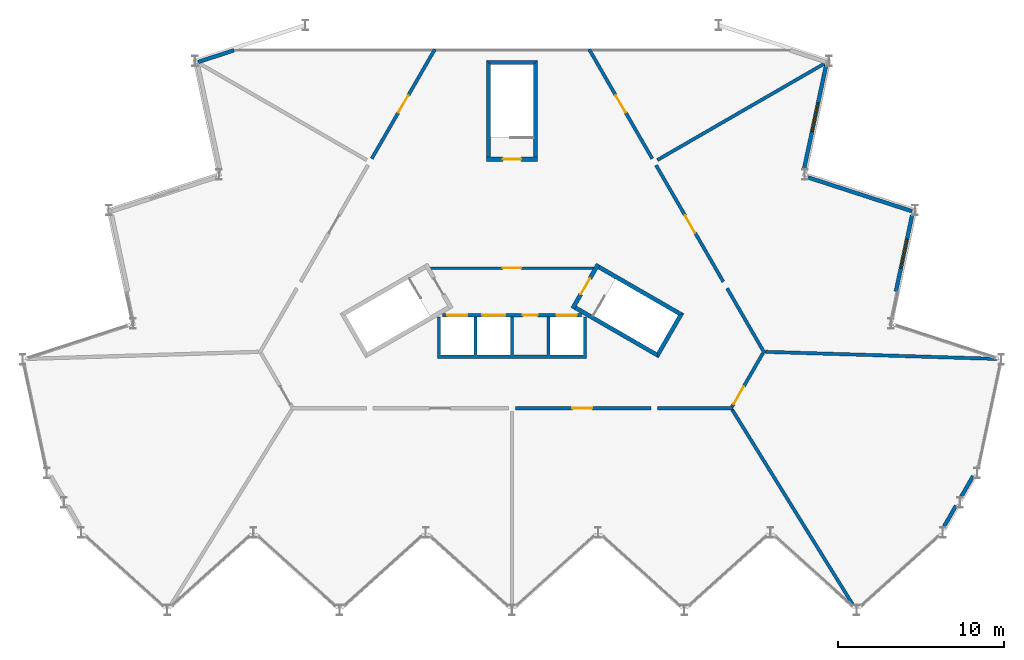
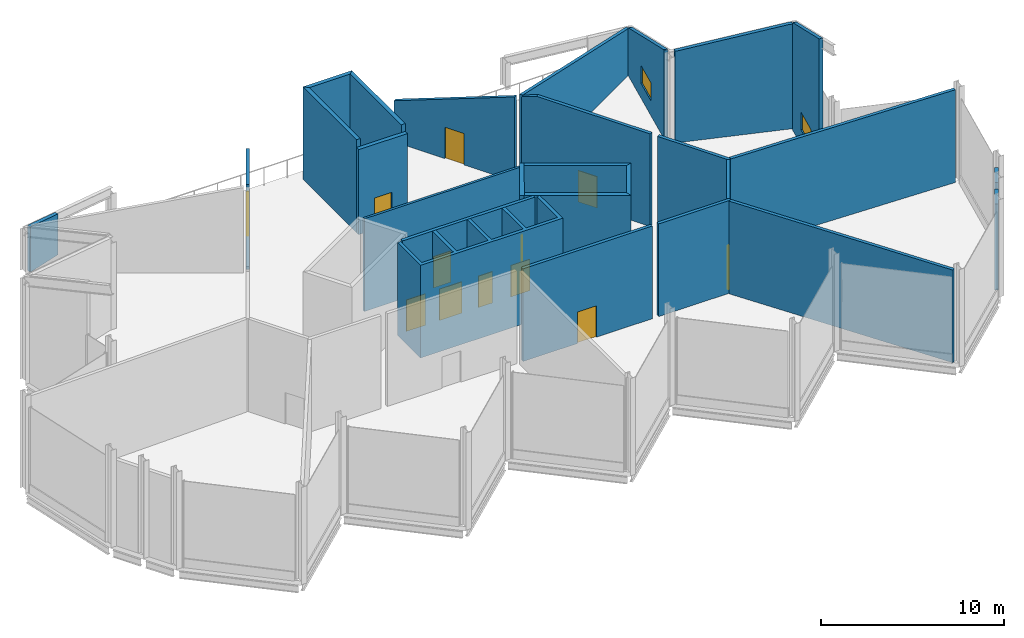
# One storey, part 8 of 10: 27 walls, 12 doors, 2 windows, 14 openings.
"""IFC4 building model written with IfcOpenShell, lengths in metres."""

from ifc_helpers import new_model, si_unit, direction, frame, frame_2d, origin, place, context, subcontext, project, spatial, polyline, rectangle, outline, extrude, material, layer, layer_set, type_object, element, fill, save


model = new_model("IFC4")

# Units and contexts
model_context = context("Model", 3, precision=1e-05, world=origin(), true_north=direction((0.0, 1.0)))
body_context = subcontext(model_context, "Body", "Model", "MODEL_VIEW")
ifc_project = project(units=[si_unit("LENGTHUNIT", "METRE"), si_unit("AREAUNIT", "SQUARE_METRE"), si_unit("VOLUMEUNIT", "CUBIC_METRE"), si_unit("PLANEANGLEUNIT", "RADIAN"), si_unit("MASSUNIT", "GRAM", prefix="KILO")], contexts=[model_context])

# Site, building, storey
site_placement = place(None, origin())
site = spatial("IfcSite", under=ifc_project, at=site_placement, CompositionType="ELEMENT")
building_placement = place(site_placement, origin())
building = spatial("IfcBuilding", under=site, at=building_placement, Name="Cormorant Prow Tower", CompositionType="ELEMENT")
storey_placement = place(building_placement, frame((0.0, 0.0, 441.199951171875)))
storey = spatial("IfcBuildingStorey", under=building, at=storey_placement, Name="L98", CompositionType="ELEMENT", Elevation=441.199951171875)

# Wall, opening, door
ifc_material_1 = material(Name="Gypsum board partition")
ifc_layer_1 = layer(ifc_material_1, 0.14990234375)
ifc_layer_set_1 = layer_set([ifc_layer_1], Name="Gypsum board partition")
wall_type_1 = type_object("IfcWallType", Name="Core partition 150", PredefinedType="PARTITIONING", material=ifc_layer_set_1)
wall_1_placement = place(storey_placement, frame((-4.941162109375, -1.449951171875, 0.0), z_axis=(0.0, 0.0, 1.0), x_axis=(1.0, 0.0, 0.0)))
wall_1 = element("IfcWall", 1, at=wall_1_placement, inside=storey, type_object=wall_type_1, Name="Firefighting lobby partition", PredefinedType="PARTITIONING", context=body_context, shape_type="SweptSolid", body=[
    extrude(rectangle(XDim=9.88232421875, YDim=0.14990234375, at=frame_2d((4.941162109375, 0.0))), origin(), (0.0, 0.0, 1.0), 6.199951171875),
])
opening_1_placement = place(wall_1_placement, frame((4.39111328125, 0.0, 0.0)))
opening_1 = element("IfcOpeningElement", 2, at=opening_1_placement, cuts=wall_1, Name="Opening L98-C05", PredefinedType="OPENING", context=body_context, shape_type="SweptSolid", body=[
    extrude(rectangle(XDim=1.10009765625, YDim=2.10009765625, at=frame_2d((0.550048828125, 1.050048828125))), frame((0.0, 0.0849609375, 0.0), z_axis=(0.0, -1.0, 0.0), x_axis=(1.0, 0.0, 0.0)), (0.0, 0.0, 1.0), 0.169921875),
])
ifc_material_2 = material(Name="Painted steel", Category="steel")
door_type_1 = type_object("IfcDoorType", Name="Firefighting lobby door 1100x2100", OperationType="NOTDEFINED", PredefinedType="DOOR", material=ifc_material_2)
door_1_placement = place(opening_1_placement, origin())
door_1 = element("IfcDoor", 3, at=door_1_placement, inside=storey, type_object=door_type_1, Name="Firefighting lobby door", OperationType="SINGLE_SWING_LEFT", OverallHeight=2.10009765625, OverallWidth=1.10009765625, PredefinedType="DOOR", context=body_context, shape_type="SweptSolid", body=[
    extrude(rectangle(XDim=1.10009765625, YDim=2.10009765625, at=frame_2d((0.550048828125, 1.050048828125))), frame((0.0, 0.02490234375, 0.0), z_axis=(0.0, -1.0, 0.0), x_axis=(1.0, 0.0, 0.0)), (0.0, 0.0, 1.0), 0.050048828125),
])
fill(opening_1, door_1)

ifc_material_3 = material(Name="Gypsum board corridor wall")
ifc_layer_2 = layer(ifc_material_3, 0.199951171875)
ifc_layer_set_2 = layer_set([ifc_layer_2], Name="Gypsum board corridor wall")
wall_type_2 = type_object("IfcWallType", Name="Corridor wall 200", PredefinedType="PARTITIONING", material=ifc_layer_set_2)
wall_2_placement = place(storey_placement, frame((0.197021484375, -9.905517578125, 0.0), z_axis=(0.0, 0.0, 1.0), x_axis=(1.0, 0.0, 0.0)))
wall_2 = element("IfcWall", 4, at=wall_2_placement, inside=storey, type_object=wall_type_2, Name="Corridor wall", PredefinedType="PARTITIONING", context=body_context, shape_type="SweptSolid", body=[
    extrude(rectangle(XDim=8.1845703125, YDim=0.199951171875, at=frame_2d((4.09228515625, 0.0))), origin(), (0.0, 0.0, 1.0), 6.199951171875),
])
opening_2_placement = place(wall_2_placement, frame((3.441650390625, 0.0, 0.0)))
opening_2 = element("IfcOpeningElement", 5, at=opening_2_placement, cuts=wall_2, Name="Opening L98-F04", PredefinedType="OPENING", context=body_context, shape_type="SweptSolid", body=[
    extrude(rectangle(XDim=1.199951171875, YDim=2.10009765625, at=frame_2d((0.60009765625, 1.050048828125))), frame((0.0, 0.10986328125, 0.0), z_axis=(0.0, -1.0, 0.0), x_axis=(1.0, 0.0, 0.0)), (0.0, 0.0, 1.0), 0.219970703125),
])
ifc_material_4 = material(Name="Timber door leaf", Category="wood")
door_type_2 = type_object("IfcDoorType", Name="Plant room door 1200x2100", OperationType="NOTDEFINED", PredefinedType="DOOR", material=ifc_material_4)
door_2_placement = place(opening_2_placement, origin())
door_2 = element("IfcDoor", 6, at=door_2_placement, inside=storey, type_object=door_type_2, Name="Electrical switch room door", OperationType="SINGLE_SWING_LEFT", OverallHeight=2.10009765625, OverallWidth=1.199951171875, PredefinedType="DOOR", context=body_context, shape_type="SweptSolid", body=[
    extrude(rectangle(XDim=1.199951171875, YDim=2.10009765625, at=frame_2d((0.60009765625, 1.050048828125))), frame((0.0, 0.02490234375, 0.0), z_axis=(0.0, -1.0, 0.0), x_axis=(1.0, 0.0, 0.0)), (0.0, 0.0, 1.0), 0.050048828125),
])
fill(opening_2, door_2)

wall_3_placement = place(storey_placement, frame((8.692138671875, 4.755859375, 0.0), z_axis=(0.0, 0.0, 1.0), x_axis=(0.500001682468, -0.866024432409, 0.0)))
wall_3 = element("IfcWall", 7, at=wall_3_placement, inside=storey, type_object=wall_type_2, Name="Corridor wall", PredefinedType="PARTITIONING", context=body_context, shape_type="SweptSolid", body=[
    extrude(outline(polyline([(0.0, 0.0), (8.12353515625, 0.0), (8.12353515625, 6.199951171875), (0.932373046875, 6.199951171875), (0.0, 5.842529296875), (0.0, 0.0)])), frame((0.0, 0.10009765625, 0.0), z_axis=(0.0, -1.0, 0.0), x_axis=(1.0, 0.0, 0.0)), (0.0, 0.0, 1.0), 0.199951171875),
])
opening_3_placement = place(wall_3_placement, frame((3.511962890625, 0.0, 0.0)))
opening_3 = element("IfcOpeningElement", 8, at=opening_3_placement, cuts=wall_3, Name="Opening L98-F06", PredefinedType="OPENING", context=body_context, shape_type="SweptSolid", body=[
    extrude(rectangle(XDim=1.199951171875, YDim=2.10009765625, at=frame_2d((0.60009765625, 1.050048828125))), frame((0.0, 0.10986328125, 0.0), z_axis=(0.0, -1.0, 0.0), x_axis=(1.0, 0.0, 0.0)), (0.0, 0.0, 1.0), 0.219970703125),
])
door_3_placement = place(opening_3_placement, origin())
door_3 = element("IfcDoor", 9, at=door_3_placement, inside=storey, type_object=door_type_2, Name="Damper plant room door", OperationType="SINGLE_SWING_LEFT", OverallHeight=2.10009765625, OverallWidth=1.199951171875, PredefinedType="DOOR", context=body_context, shape_type="SweptSolid", body=[
    extrude(rectangle(XDim=1.199951171875, YDim=2.10009765625, at=frame_2d((0.60009765625, 1.050048828125))), frame((0.0, 0.02490234375, 0.0), z_axis=(0.0, -1.0, 0.0), x_axis=(1.0, 0.0, 0.0)), (0.0, 0.0, 1.0), 0.050048828125),
])
fill(opening_3, door_3)

wall_4_placement = place(storey_placement, frame((-8.464599609375, 5.14990234375, 0.0), z_axis=(0.0, 0.0, 1.0), x_axis=(0.499992201351, 0.86602990629, 0.0)))
wall_4 = element("IfcWall", 10, at=wall_4_placement, inside=storey, type_object=wall_type_2, Name="Corridor wall", PredefinedType="PARTITIONING", context=body_context, shape_type="SweptSolid", body=[
    extrude(outline(polyline([(0.0, 0.0), (7.62548828125, 0.0), (7.6259765625, 2.744384765625), (0.0, 5.668212890625), (0.0, 0.0)])), frame((0.0, 0.10009765625, 0.0), z_axis=(0.0, -1.0, 0.0), x_axis=(1.0, 0.0, 0.0)), (0.0, 0.0, 1.0), 0.199951171875),
])
opening_4_placement = place(wall_4_placement, frame((3.212890625, 0.0, 0.0)))
opening_4 = element("IfcOpeningElement", 11, at=opening_4_placement, cuts=wall_4, Name="Opening L98-F07", PredefinedType="OPENING", context=body_context, shape_type="SweptSolid", body=[
    extrude(rectangle(XDim=1.199951171875, YDim=2.10009765625, at=frame_2d((0.60009765625, 1.050048828125))), frame((0.0, 0.10986328125, 0.0), z_axis=(0.0, -1.0, 0.0), x_axis=(1.0, 0.0, 0.0)), (0.0, 0.0, 1.0), 0.219970703125),
])
door_4_placement = place(opening_4_placement, origin())
door_4 = element("IfcDoor", 12, at=door_4_placement, inside=storey, type_object=door_type_2, Name="Lift machine room door", OperationType="SINGLE_SWING_LEFT", OverallHeight=2.10009765625, OverallWidth=1.199951171875, PredefinedType="DOOR", context=body_context, shape_type="SweptSolid", body=[
    extrude(rectangle(XDim=1.199951171875, YDim=2.10009765625, at=frame_2d((0.60009765625, 1.050048828125))), frame((0.0, 0.02490234375, 0.0), z_axis=(0.0, -1.0, 0.0), x_axis=(1.0, 0.0, 0.0)), (0.0, 0.0, 1.0), 0.050048828125),
])
fill(opening_4, door_4)

wall_5_placement = place(storey_placement, frame((4.65185546875, 11.75390625, 0.0), z_axis=(0.0, 0.0, 1.0), x_axis=(0.499992201351, -0.86602990629, 0.0)))
wall_5 = element("IfcWall", 13, at=wall_5_placement, inside=storey, type_object=wall_type_2, Name="Corridor wall", PredefinedType="PARTITIONING", context=body_context, shape_type="SweptSolid", body=[
    extrude(outline(polyline([(0.0, 0.0), (7.62548828125, 0.0), (7.6259765625, 5.668212890625), (0.0, 2.744384765625), (0.0, 0.0)])), frame((0.0, 0.10009765625, 0.0), z_axis=(0.0, -1.0, 0.0), x_axis=(1.0, 0.0, 0.0)), (0.0, 0.0, 1.0), 0.199951171875),
])
opening_5_placement = place(wall_5_placement, frame((3.212890625, 0.0, 0.0)))
opening_5 = element("IfcOpeningElement", 14, at=opening_5_placement, cuts=wall_5, Name="Opening L98-F08", PredefinedType="OPENING", context=body_context, shape_type="SweptSolid", body=[
    extrude(rectangle(XDim=1.199951171875, YDim=2.10009765625, at=frame_2d((0.60009765625, 1.050048828125))), frame((0.0, 0.10986328125, 0.0), z_axis=(0.0, -1.0, 0.0), x_axis=(1.0, 0.0, 0.0)), (0.0, 0.0, 1.0), 0.219970703125),
])
door_5_placement = place(opening_5_placement, origin())
door_5 = element("IfcDoor", 15, at=door_5_placement, inside=storey, type_object=door_type_2, Name="Water tank room door", OperationType="SINGLE_SWING_RIGHT", OverallHeight=2.10009765625, OverallWidth=1.199951171875, PredefinedType="DOOR", context=body_context, shape_type="SweptSolid", body=[
    extrude(rectangle(XDim=1.199951171875, YDim=2.10009765625, at=frame_2d((0.60009765625, 1.050048828125))), frame((0.0, 0.02490234375, 0.0), z_axis=(0.0, -1.0, 0.0), x_axis=(1.0, 0.0, 0.0)), (0.0, 0.0, 1.0), 0.050048828125),
])
fill(opening_5, door_5)

# Walls
wall_6_placement = place(storey_placement, frame((8.775390625, -9.905517578125, 0.0), z_axis=(0.0, 0.0, 1.0), x_axis=(1.0, 0.0, 0.0)))
element("IfcWall", 16, at=wall_6_placement, inside=storey, type_object=wall_type_2, Name="Corridor wall", PredefinedType="PARTITIONING", context=body_context, shape_type="SweptSolid", body=[
    extrude(rectangle(XDim=4.555419921875, YDim=0.199951171875, at=frame_2d((2.27783203125, 0.0))), origin(), (0.0, 0.0, 1.0), 6.199951171875),
])
wall_7_placement = place(storey_placement, frame((12.9814453125, -2.67333984375, 0.0), z_axis=(0.0, 0.0, 1.0), x_axis=(0.499974648164, -0.866040040179, 0.0)))
element("IfcWall", 17, at=wall_7_placement, inside=storey, type_object=wall_type_2, Name="Corridor wall", PredefinedType="PARTITIONING", context=body_context, shape_type="SweptSolid", body=[
    extrude(rectangle(XDim=4.525146484375, YDim=0.199951171875, at=frame_2d((2.2626953125, 0.0))), origin(), (0.0, 0.0, 1.0), 6.199951171875),
])

# Wall, opening, door
wall_8_placement = place(storey_placement, frame((13.281005859375, -9.819091796875, 0.0), z_axis=(0.0, 0.0, 1.0), x_axis=(0.499958791762, 0.866049194065, 0.0)))
wall_8 = element("IfcWall", 18, at=wall_8_placement, inside=storey, type_object=wall_type_2, Name="Corridor wall", PredefinedType="PARTITIONING", context=body_context, shape_type="SweptSolid", body=[
    extrude(rectangle(XDim=3.725830078125, YDim=0.199951171875, at=frame_2d((1.86279296875, 0.0))), origin(), (0.0, 0.0, 1.0), 6.199951171875),
])
opening_6_placement = place(wall_8_placement, frame((0.201171875, 0.0, 0.0)))
opening_6 = element("IfcOpeningElement", 19, at=opening_6_placement, cuts=wall_8, Name="Opening L98-F02", PredefinedType="OPENING", context=body_context, shape_type="SweptSolid", body=[
    extrude(rectangle(XDim=1.199951171875, YDim=2.10009765625, at=frame_2d((0.60009765625, 1.050048828125))), frame((0.0, 0.10986328125, 0.0), z_axis=(0.0, -1.0, 0.0), x_axis=(1.0, 0.0, 0.0)), (0.0, 0.0, 1.0), 0.219970703125),
])
door_6_placement = place(opening_6_placement, origin())
door_6 = element("IfcDoor", 20, at=door_6_placement, inside=storey, type_object=door_type_2, Name="Lift machine room door", OperationType="SINGLE_SWING_LEFT", OverallHeight=2.10009765625, OverallWidth=1.199951171875, PredefinedType="DOOR", context=body_context, shape_type="SweptSolid", body=[
    extrude(rectangle(XDim=1.199951171875, YDim=2.10009765625, at=frame_2d((0.60009765625, 1.050048828125))), frame((0.0, 0.02490234375, 0.0), z_axis=(0.0, -1.0, 0.0), x_axis=(1.0, 0.0, 0.0)), (0.0, 0.0, 1.0), 0.050048828125),
])
fill(opening_6, door_6)

# Walls
ifc_material_5 = material(Name="Gypsum board demising wall")
ifc_layer_3 = layer(ifc_material_5, 0.199951171875)
ifc_layer_set_3 = layer_set([ifc_layer_3], Name="Gypsum board demising wall")
wall_type_3 = type_object("IfcWallType", Name="Demising wall 200", PredefinedType="PARTITIONING", material=ifc_layer_set_3)
wall_9_placement = place(storey_placement, frame((15.293701171875, -6.508544921875, 0.0), z_axis=(0.0, 0.0, 1.0), x_axis=(0.999534583604, -0.030506002359, 0.0)))
element("IfcWall", 21, at=wall_9_placement, inside=storey, type_object=wall_type_3, Name="Demising wall", PredefinedType="PARTITIONING", context=body_context, shape_type="SweptSolid", body=[
    extrude(rectangle(XDim=13.973388671875, YDim=0.199951171875, at=frame_2d((6.98681640625, 0.0))), origin(), (0.0, 0.0, 1.0), 6.199951171875),
])
wall_10_placement = place(storey_placement, frame((13.283447265625, -9.990478515625, 0.0), z_axis=(0.0, 0.0, 1.0), x_axis=(0.526187960676, -0.850368290825, 0.0)))
element("IfcWall", 22, at=wall_10_placement, inside=storey, type_object=wall_type_3, Name="Demising wall", PredefinedType="PARTITIONING", context=body_context, shape_type="SweptSolid", body=[
    extrude(rectangle(XDim=13.92041015625, YDim=0.199951171875, at=frame_2d((6.960205078125, 0.0))), origin(), (0.0, 0.0, 1.0), 6.199951171875),
])
wall_11_placement = place(storey_placement, frame((8.775390625, 5.06640625, 0.0), z_axis=(0.0, 0.0, 1.0), x_axis=(0.866016599503, 0.500015249154, 0.0)))
element("IfcWall", 23, at=wall_11_placement, inside=storey, type_object=wall_type_3, Name="Demising wall", PredefinedType="PARTITIONING", context=body_context, shape_type="SweptSolid", body=[
    extrude(outline(polyline([(0.0, 0.0), (11.644775390625, 0.0), (11.64453125, 3.12744140625), (0.0, 5.705078125), (0.0, 0.0)])), frame((0.0, 0.10009765625, 0.0), z_axis=(0.0, -1.0, 0.0), x_axis=(1.0, 0.0, 0.0)), (0.0, 0.0, 1.0), 0.199951171875),
])

# Wall, openings, doors
ifc_material_6 = material(Name="Concrete 5000 psi", Category="concrete")
ifc_layer_4 = layer(ifc_material_6, 0.199951171875)
ifc_layer_set_4 = layer_set([ifc_layer_4], Name="Concrete 5000 psi")
wall_type_4 = type_object("IfcWallType", Name="Lift lobby wall 200", PredefinedType="SOLIDWALL", material=ifc_layer_set_4)
wall_12_placement = place(storey_placement, frame((-4.1865234375, -4.300048828125, 0.0), z_axis=(0.0, 0.0, 1.0), x_axis=(1.0, 0.0, 0.0)))
wall_12 = element("IfcWall", 24, at=wall_12_placement, inside=storey, type_object=wall_type_4, Name="Lift lobby wall, S block", PredefinedType="SOLIDWALL", context=body_context, shape_type="SweptSolid", body=[
    extrude(rectangle(XDim=8.373046875, YDim=0.199951171875, at=frame_2d((4.1865234375, 0.0))), origin(), (0.0, 0.0, 1.0), 6.199951171875),
])
opening_7_placement = place(wall_12_placement, frame((0.28662109375, 0.0, 0.0)))
opening_7 = element("IfcOpeningElement", 25, at=opening_7_placement, cuts=wall_12, Name="Opening L98-C01", PredefinedType="OPENING", context=body_context, shape_type="SweptSolid", body=[
    extrude(rectangle(XDim=1.199951171875, YDim=2.10009765625, at=frame_2d((0.60009765625, 1.050048828125))), frame((0.0, 0.10986328125, 0.0), z_axis=(0.0, -1.0, 0.0), x_axis=(1.0, 0.0, 0.0)), (0.0, 0.0, 1.0), 0.219970703125),
])
opening_8_placement = place(wall_12_placement, frame((2.38671875, 0.0, 0.0)))
opening_8 = element("IfcOpeningElement", 26, at=opening_8_placement, cuts=wall_12, Name="Opening L98-C02", PredefinedType="OPENING", context=body_context, shape_type="SweptSolid", body=[
    extrude(rectangle(XDim=1.39990234375, YDim=2.10009765625, at=frame_2d((0.699951171875, 1.050048828125))), frame((0.0, 0.10986328125, 0.0), z_axis=(0.0, -1.0, 0.0), x_axis=(1.0, 0.0, 0.0)), (0.0, 0.0, 1.0), 0.219970703125),
])
opening_9_placement = place(wall_12_placement, frame((4.836669921875, 0.0, 0.0)))
opening_9 = element("IfcOpeningElement", 27, at=opening_9_placement, cuts=wall_12, Name="Opening L98-C03", PredefinedType="OPENING", context=body_context, shape_type="SweptSolid", body=[
    extrude(rectangle(XDim=0.89990234375, YDim=2.10009765625, at=frame_2d((0.449951171875, 1.050048828125))), frame((0.0, 0.10986328125, 0.0), z_axis=(0.0, -1.0, 0.0), x_axis=(1.0, 0.0, 0.0)), (0.0, 0.0, 1.0), 0.219970703125),
])
opening_10_placement = place(wall_12_placement, frame((6.88671875, 0.0, 0.0)))
opening_10 = element("IfcOpeningElement", 28, at=opening_10_placement, cuts=wall_12, Name="Opening L98-C04", PredefinedType="OPENING", context=body_context, shape_type="SweptSolid", body=[
    extrude(rectangle(XDim=1.199951171875, YDim=2.10009765625, at=frame_2d((0.60009765625, 1.050048828125))), frame((0.0, 0.10986328125, 0.0), z_axis=(0.0, -1.0, 0.0), x_axis=(1.0, 0.0, 0.0)), (0.0, 0.0, 1.0), 0.219970703125),
])
ifc_material_7 = material(Name="Painted steel", Category="steel")
door_type_3 = type_object("IfcDoorType", Name="Firefighting lift landing door 1200x2100", OperationType="SLIDING_TO_LEFT", PredefinedType="DOOR", material=ifc_material_7)
door_7_placement = place(opening_7_placement, origin())
door_7 = element("IfcDoor", 29, at=door_7_placement, inside=storey, type_object=door_type_3, Name="Landing door FL1", OperationType="SLIDING_TO_LEFT", OverallHeight=2.10009765625, OverallWidth=1.199951171875, PredefinedType="DOOR", context=body_context, shape_type="SweptSolid", body=[
    extrude(rectangle(XDim=1.199951171875, YDim=2.10009765625, at=frame_2d((0.60009765625, 1.050048828125))), frame((0.0, 0.02490234375, 0.0), z_axis=(0.0, -1.0, 0.0), x_axis=(1.0, 0.0, 0.0)), (0.0, 0.0, 1.0), 0.050048828125),
])
fill(opening_7, door_7)
door_8_placement = place(opening_10_placement, origin())
door_8 = element("IfcDoor", 30, at=door_8_placement, inside=storey, type_object=door_type_3, Name="Landing door FL2", OperationType="SLIDING_TO_LEFT", OverallHeight=2.10009765625, OverallWidth=1.199951171875, PredefinedType="DOOR", context=body_context, shape_type="SweptSolid", body=[
    extrude(rectangle(XDim=1.199951171875, YDim=2.10009765625, at=frame_2d((0.60009765625, 1.050048828125))), frame((0.0, 0.02490234375, 0.0), z_axis=(0.0, -1.0, 0.0), x_axis=(1.0, 0.0, 0.0)), (0.0, 0.0, 1.0), 0.050048828125),
])
fill(opening_10, door_8)
ifc_material_8 = material(Name="Painted steel", Category="steel")
door_type_4 = type_object("IfcDoorType", Name="Service door 900x2100", OperationType="NOTDEFINED", PredefinedType="DOOR", material=ifc_material_8)
door_9_placement = place(opening_9_placement, origin())
door_9 = element("IfcDoor", 31, at=door_9_placement, inside=storey, type_object=door_type_4, Name="Service door, Plant spares store", OperationType="SINGLE_SWING_RIGHT", OverallHeight=2.10009765625, OverallWidth=0.89990234375, PredefinedType="DOOR", context=body_context, shape_type="SweptSolid", body=[
    extrude(rectangle(XDim=0.89990234375, YDim=2.10009765625, at=frame_2d((0.449951171875, 1.050048828125))), frame((0.0, 0.02490234375, 0.0), z_axis=(0.0, -1.0, 0.0), x_axis=(1.0, 0.0, 0.0)), (0.0, 0.0, 1.0), 0.050048828125),
])
fill(opening_9, door_9)
ifc_material_9 = material(Name="Painted steel", Category="steel")
door_type_5 = type_object("IfcDoorType", Name="Service lift landing door 1400x2100", OperationType="SLIDING_TO_LEFT", PredefinedType="DOOR", material=ifc_material_9)
door_10_placement = place(opening_8_placement, origin())
door_10 = element("IfcDoor", 32, at=door_10_placement, inside=storey, type_object=door_type_5, Name="Landing door SL1", OperationType="SLIDING_TO_LEFT", OverallHeight=2.10009765625, OverallWidth=1.39990234375, PredefinedType="DOOR", context=body_context, shape_type="SweptSolid", body=[
    extrude(rectangle(XDim=1.39990234375, YDim=2.10009765625, at=frame_2d((0.699951171875, 1.050048828125))), frame((0.0, 0.02490234375, 0.0), z_axis=(0.0, -1.0, 0.0), x_axis=(1.0, 0.0, 0.0)), (0.0, 0.0, 1.0), 0.050048828125),
])
fill(opening_8, door_10)

# Walls
ifc_material_10 = material(Name="Concrete 8000 psi", Category="concrete")
ifc_layer_5 = layer(ifc_material_10, 0.199951171875)
ifc_layer_set_5 = layer_set([ifc_layer_5], Name="Concrete 8000 psi")
wall_type_5 = type_object("IfcWallType", Name="Lift shaft wall 200", PredefinedType="SHEAR", material=ifc_layer_set_5)
wall_13_placement = place(storey_placement, origin())
element("IfcWall", 33, at=wall_13_placement, inside=storey, type_object=wall_type_5, Name="Lift shaft walls, S block", PredefinedType="SHEAR", context=body_context, shape_type="SweptSolid", body=[
    extrude(outline(polyline([(4.5, -4.39990234375), (4.5, -6.906005859375), (-4.5, -6.906005859375), (-4.5, -4.39990234375), (-4.300048828125, -4.39990234375), (-4.300048828125, -6.699951171875), (-2.300048828125, -6.699951171875), (-2.300048828125, -4.39990234375), (-2.10009765625, -4.39990234375), (-2.10009765625, -6.699951171875), (-0.10009765625, -6.699951171875), (-0.10009765625, -4.39990234375), (0.10009765625, -4.39990234375), (0.10009765625, -6.699951171875), (2.10009765625, -6.699951171875), (2.10009765625, -4.39990234375), (2.300048828125, -4.39990234375), (2.300048828125, -6.699951171875), (4.300048828125, -6.699951171875), (4.300048828125, -4.39990234375), (4.5, -4.39990234375)])), origin(), (0.0, 0.0, 1.0), 6.199951171875),
])
ifc_material_11 = material(Name="Concrete 8000 psi", Category="concrete")
ifc_layer_6 = layer(ifc_material_11, 0.25)
ifc_layer_set_6 = layer_set([ifc_layer_6], Name="Concrete 8000 psi")
wall_type_6 = type_object("IfcWallType", Name="Stair wall 250", PredefinedType="SHEAR", material=ifc_layer_set_6)
wall_14_placement = place(storey_placement, origin())
element("IfcWall", 34, at=wall_14_placement, inside=storey, type_object=wall_type_6, Name="Stair ST2 enclosure wall (flank)", PredefinedType="SHEAR", context=body_context, shape_type="SweptSolid", body=[
    extrude(outline(polyline([(3.76318359375, -3.95556640625), (8.82958984375, -6.880615234375), (8.738037109375, -6.5390625), (3.88818359375, -3.739013671875), (3.76318359375, -3.95556640625)])), origin(), (0.0, 0.0, 1.0), 6.199951171875),
])
wall_15_placement = place(storey_placement, origin())
element("IfcWall", 35, at=wall_15_placement, inside=storey, type_object=wall_type_6, Name="Stair ST2 enclosure wall (end)", PredefinedType="SHEAR", context=body_context, shape_type="SweptSolid", body=[
    extrude(outline(polyline([(8.82958984375, -6.880615234375), (10.37353515625, -4.206298828125), (10.031982421875, -4.2978515625), (8.738037109375, -6.5390625), (8.82958984375, -6.880615234375)])), origin(), (0.0, 0.0, 1.0), 6.199951171875),
])
wall_16_placement = place(storey_placement, origin())
element("IfcWall", 36, at=wall_16_placement, inside=storey, type_object=wall_type_6, Name="Stair ST2 enclosure wall (flank)", PredefinedType="SHEAR", context=body_context, shape_type="SweptSolid", body=[
    extrude(outline(polyline([(10.031982421875, -4.2978515625), (10.37353515625, -4.206298828125), (5.30712890625, -1.28125), (5.18212890625, -1.497802734375), (10.031982421875, -4.2978515625)])), origin(), (0.0, 0.0, 1.0), 6.199951171875),
])

# Wall, opening, door
wall_17_placement = place(storey_placement, frame((3.655029296875, -3.89306640625, 0.0), z_axis=(0.0, 0.0, 1.0), x_axis=(0.499982516597, 0.866035497597, 0.0)))
wall_17 = element("IfcWall", 37, at=wall_17_placement, inside=storey, type_object=wall_type_6, Name="Stair ST2 door wall", PredefinedType="SHEAR", context=body_context, shape_type="SweptSolid", body=[
    extrude(rectangle(XDim=3.087890625, YDim=0.25, at=frame_2d((1.5439453125, 0.0))), origin(), (0.0, 0.0, 1.0), 6.199951171875),
])
opening_11_placement = place(wall_17_placement, frame((0.993896484375, 0.0, 0.0)))
opening_11 = element("IfcOpeningElement", 38, at=opening_11_placement, cuts=wall_17, Name="Opening L98-C07", PredefinedType="OPENING", context=body_context, shape_type="SweptSolid", body=[
    extrude(rectangle(XDim=1.10009765625, YDim=2.10009765625, at=frame_2d((0.550048828125, 1.050048828125))), frame((0.0, 0.135009765625, 0.0), z_axis=(0.0, -1.0, 0.0), x_axis=(1.0, 0.0, 0.0)), (0.0, 0.0, 1.0), 0.27001953125),
])
ifc_material_12 = material(Name="Painted steel", Category="steel")
door_type_6 = type_object("IfcDoorType", Name="Stair door 1100x2100", OperationType="NOTDEFINED", PredefinedType="DOOR", material=ifc_material_12)
door_11_placement = place(opening_11_placement, origin())
door_11 = element("IfcDoor", 39, at=door_11_placement, inside=storey, type_object=door_type_6, Name="Stair ST2 door", OperationType="SINGLE_SWING_RIGHT", OverallHeight=2.10009765625, OverallWidth=1.10009765625, PredefinedType="DOOR", context=body_context, shape_type="SweptSolid", body=[
    extrude(rectangle(XDim=1.10009765625, YDim=2.10009765625, at=frame_2d((0.550048828125, 1.050048828125))), frame((0.0, 0.02490234375, 0.0), z_axis=(0.0, -1.0, 0.0), x_axis=(1.0, 0.0, 0.0)), (0.0, 0.0, 1.0), 0.050048828125),
])
fill(opening_11, door_11)

# Walls
wall_18_placement = place(storey_placement, origin())
element("IfcWall", 40, at=wall_18_placement, inside=storey, type_object=wall_type_6, Name="Stair ST3 enclosure wall (flank)", PredefinedType="SHEAR", context=body_context, shape_type="SweptSolid", body=[
    extrude(outline(polyline([(1.5439453125, 5.23681640625), (1.5439453125, 11.0869140625), (1.2939453125, 10.8369140625), (1.2939453125, 5.23681640625), (1.5439453125, 5.23681640625)])), origin(), (0.0, 0.0, 1.0), 6.199951171875),
])
wall_19_placement = place(storey_placement, origin())
element("IfcWall", 41, at=wall_19_placement, inside=storey, type_object=wall_type_6, Name="Stair ST3 enclosure wall (end)", PredefinedType="SHEAR", context=body_context, shape_type="SweptSolid", body=[
    extrude(outline(polyline([(1.5439453125, 11.0869140625), (-1.5439453125, 11.0869140625), (-1.2939453125, 10.8369140625), (1.2939453125, 10.8369140625), (1.5439453125, 11.0869140625)])), origin(), (0.0, 0.0, 1.0), 6.199951171875),
])
wall_20_placement = place(storey_placement, origin())
element("IfcWall", 42, at=wall_20_placement, inside=storey, type_object=wall_type_6, Name="Stair ST3 enclosure wall (flank)", PredefinedType="SHEAR", context=body_context, shape_type="SweptSolid", body=[
    extrude(outline(polyline([(-1.2939453125, 10.8369140625), (-1.5439453125, 11.0869140625), (-1.5439453125, 5.23681640625), (-1.2939453125, 5.23681640625), (-1.2939453125, 10.8369140625)])), origin(), (0.0, 0.0, 1.0), 6.199951171875),
])

# Wall, opening, door
wall_21_placement = place(storey_placement, frame((1.5439453125, 5.11181640625, 0.0), z_axis=(0.0, 0.0, 1.0), x_axis=(-1.0, 0.0, 0.0)))
wall_21 = element("IfcWall", 43, at=wall_21_placement, inside=storey, type_object=wall_type_6, Name="Stair ST3 door wall", PredefinedType="SHEAR", context=body_context, shape_type="SweptSolid", body=[
    extrude(outline(polyline([(0.0, 0.0), (3.087890625, 0.0), (3.087890625, 5.68505859375), (0.0, 5.68505859375), (0.0, 0.0)])), frame((0.0, 0.125, 0.0), z_axis=(0.0, -1.0, 0.0), x_axis=(1.0, 0.0, 0.0)), (0.0, 0.0, 1.0), 0.25),
])
opening_12_placement = place(wall_21_placement, frame((0.993896484375, 0.0, 0.0)))
opening_12 = element("IfcOpeningElement", 44, at=opening_12_placement, cuts=wall_21, Name="Opening L98-C08", PredefinedType="OPENING", context=body_context, shape_type="SweptSolid", body=[
    extrude(rectangle(XDim=1.10009765625, YDim=2.10009765625, at=frame_2d((0.550048828125, 1.050048828125))), frame((0.0, 0.135009765625, 0.0), z_axis=(0.0, -1.0, 0.0), x_axis=(1.0, 0.0, 0.0)), (0.0, 0.0, 1.0), 0.27001953125),
])
door_12_placement = place(opening_12_placement, origin())
door_12 = element("IfcDoor", 45, at=door_12_placement, inside=storey, type_object=door_type_6, Name="Stair ST3 door", OperationType="SINGLE_SWING_RIGHT", OverallHeight=2.10009765625, OverallWidth=1.10009765625, PredefinedType="DOOR", context=body_context, shape_type="SweptSolid", body=[
    extrude(rectangle(XDim=1.10009765625, YDim=2.10009765625, at=frame_2d((0.550048828125, 1.050048828125))), frame((0.0, 0.02490234375, 0.0), z_axis=(0.0, -1.0, 0.0), x_axis=(1.0, 0.0, 0.0)), (0.0, 0.0, 1.0), 0.050048828125),
])
fill(opening_12, door_12)

# Walls
ifc_material_13 = material(Name="Terracotta", Category="masonry")
ifc_layer_7 = layer(ifc_material_13, 0.22998046875)
ifc_layer_set_7 = layer_set([ifc_layer_7], Name="Terracotta")
wall_type_7 = type_object("IfcWallType", Name="Terracotta crown cladding wall 230", PredefinedType="SOLIDWALL", material=ifc_layer_set_7)
for number, where, z_axis, x_axis, name in (
    (46, (26.0732421875, -17.048828125, 0.0), (0.0, 0.0, 1.0), (0.500001025616, 0.866024811644, 0.0), "Terracotta crown wall ESE00"),
    (47, (27.110107421875, -15.2529296875, 0.0), (0.0, 0.0, 1.0), (0.500001025616, 0.866024811644, 0.0), "Terracotta crown wall ESE01"),
):
    element("IfcWall", number, at=place(storey_placement, frame(where, z_axis=z_axis, x_axis=x_axis)), inside=storey, type_object=wall_type_7, Name=name, PredefinedType="SOLIDWALL", context=body_context, shape_type="SweptSolid", body=[
        extrude(rectangle(XDim=1.44140625, YDim=0.22998046875, at=frame_2d((0.720703125, 0.0))), origin(), (0.0, 0.0, 1.0), 5.73388671875),
    ])

# Wall, opening, window
wall_22_placement = place(storey_placement, frame((23.169189453125, -2.8642578125, 0.0), z_axis=(0.0, 0.0, 1.0), x_axis=(0.207912151002, 0.978147502918, 0.0)))
wall_22 = element("IfcWall", 48, at=wall_22_placement, inside=storey, type_object=wall_type_7, Name="Terracotta raked crown wall ENE02", PredefinedType="SOLIDWALL", context=body_context, shape_type="SweptSolid", body=[
    extrude(outline(polyline([(0.0, 0.0), (4.702880859375, 0.0), (4.702880859375, 7.20458984375), (4.66943359375, 7.20458984375), (0.0, 9.2265625), (0.0, 0.0)])), frame((0.0, 0.114990234375, 0.0), z_axis=(0.0, -1.0, 0.0), x_axis=(1.0, 0.0, 0.0)), (0.0, 0.0, 1.0), 0.22998046875),
])
opening_13_placement = place(wall_22_placement, frame((1.434814453125, 0.0, 1.0)))
opening_13 = element("IfcOpeningElement", 49, at=opening_13_placement, cuts=wall_22, Name="Opening WN2", PredefinedType="OPENING", context=body_context, shape_type="SweptSolid", body=[
    extrude(rectangle(XDim=1.800048828125, YDim=1.199951171875, at=frame_2d((0.89990234375, 0.60009765625))), frame((0.0, 0.125, 0.0), z_axis=(0.0, -1.0, 0.0), x_axis=(1.0, 0.0, 0.0)), (0.0, 0.0, 1.0), 0.25),
])
ifc_material_14 = material(Name="Aluminium 6063-T6", Category="aluminium")
window_type = type_object("IfcWindowType", Name="Crown skylight 1800x1200", PartitioningType="SINGLE_PANEL", PredefinedType="SKYLIGHT", material=ifc_material_14)
window_1_placement = place(opening_13_placement, origin())
window_1 = element("IfcWindow", 50, at=window_1_placement, inside=storey, type_object=window_type, Name="Crown skylight ENE02", OverallHeight=1.199951171875, OverallWidth=1.800048828125, PartitioningType="SINGLE_PANEL", PredefinedType="SKYLIGHT", context=body_context, shape_type="SweptSolid", body=[
    extrude(rectangle(XDim=1.800048828125, YDim=1.199951171875, at=frame_2d((0.89990234375, 0.60009765625))), frame((0.0, 0.030029296875, 0.0), z_axis=(0.0, -1.0, 0.0), x_axis=(1.0, 0.0, 0.0)), (0.0, 0.0, 1.0), 0.06005859375),
])
fill(opening_13, window_1)

# Wall
wall_23_placement = place(storey_placement, frame((24.136962890625, 1.978515625, 0.0), z_axis=(0.0, 0.0, 1.0), x_axis=(-0.951051480046, 0.309032493925, 0.0)))
element("IfcWall", 51, at=wall_23_placement, inside=storey, type_object=wall_type_7, Name="Terracotta raked crown wall ENE03", PredefinedType="SOLIDWALL", context=body_context, shape_type="SweptSolid", body=[
    extrude(outline(polyline([(0.0, 0.0), (6.59423828125, 0.0), (6.59423828125, 6.138916015625), (6.467041015625, 6.138916015625), (0.201904296875, 6.99609375), (0.0, 6.99609375), (0.0, 0.0)])), frame((0.0, 0.114990234375, 0.0), z_axis=(0.0, -1.0, 0.0), x_axis=(1.0, 0.0, 0.0)), (0.0, 0.0, 1.0), 0.22998046875),
])

# Wall, opening, window
wall_24_placement = place(storey_placement, frame((17.62646484375, 4.529541015625, 0.0), z_axis=(0.0, 0.0, 1.0), x_axis=(0.20789874855, 0.978150351608, 0.0)))
wall_24 = element("IfcWall", 52, at=wall_24_placement, inside=storey, type_object=wall_type_7, Name="Terracotta raked crown wall ENE04", PredefinedType="SOLIDWALL", context=body_context, shape_type="SweptSolid", body=[
    extrude(outline(polyline([(0.0, 0.0), (6.351806640625, 0.0), (6.351806640625, 3.21728515625), (6.318359375, 3.21728515625), (0.052978515625, 5.930419921875), (0.0, 5.930419921875), (0.0, 0.0)])), frame((0.0, 0.114990234375, 0.0), z_axis=(0.0, -1.0, 0.0), x_axis=(1.0, 0.0, 0.0)), (0.0, 0.0, 1.0), 0.22998046875),
])
opening_14_placement = place(wall_24_placement, frame((2.28564453125, 0.0, 1.0)))
opening_14 = element("IfcOpeningElement", 53, at=opening_14_placement, cuts=wall_24, Name="Opening WN2", PredefinedType="OPENING", context=body_context, shape_type="SweptSolid", body=[
    extrude(rectangle(XDim=1.800048828125, YDim=1.199951171875, at=frame_2d((0.89990234375, 0.60009765625))), frame((0.0, 0.125, 0.0), z_axis=(0.0, -1.0, 0.0), x_axis=(1.0, 0.0, 0.0)), (0.0, 0.0, 1.0), 0.25),
])
window_2_placement = place(opening_14_placement, origin())
window_2 = element("IfcWindow", 54, at=window_2_placement, inside=storey, type_object=window_type, Name="Crown skylight ENE04", OverallHeight=1.199951171875, OverallWidth=1.800048828125, PartitioningType="SINGLE_PANEL", PredefinedType="SKYLIGHT", context=body_context, shape_type="SweptSolid", body=[
    extrude(rectangle(XDim=1.800048828125, YDim=1.199951171875, at=frame_2d((0.89990234375, 0.60009765625))), frame((0.0, 0.030029296875, 0.0), z_axis=(0.0, -1.0, 0.0), x_axis=(1.0, 0.0, 0.0)), (0.0, 0.0, 1.0), 0.06005859375),
])
fill(opening_14, window_2)

# Wall
wall_25_placement = place(storey_placement, frame((-16.78466796875, 11.6845703125, 0.0), z_axis=(0.0, 0.0, 1.0), x_axis=(-0.951072115375, -0.30896898122, 0.0)))
element("IfcWall", 55, at=wall_25_placement, inside=storey, type_object=wall_type_7, Name="Terracotta raked crown wall WNW04", PredefinedType="SOLIDWALL", context=body_context, shape_type="SweptSolid", body=[
    extrude(outline(polyline([(0.0, 0.0), (2.26318359375, 0.0), (2.262939453125, 3.008544921875), (2.106201171875, 3.008544921875), (2.061279296875, 3.008544921875), (0.0, 2.7265625), (0.0, 0.0)])), frame((0.0, 0.114990234375, 0.0), z_axis=(0.0, -1.0, 0.0), x_axis=(1.0, 0.0, 0.0)), (0.0, 0.0, 1.0), 0.22998046875),
])

save(model, "model.ifc")
